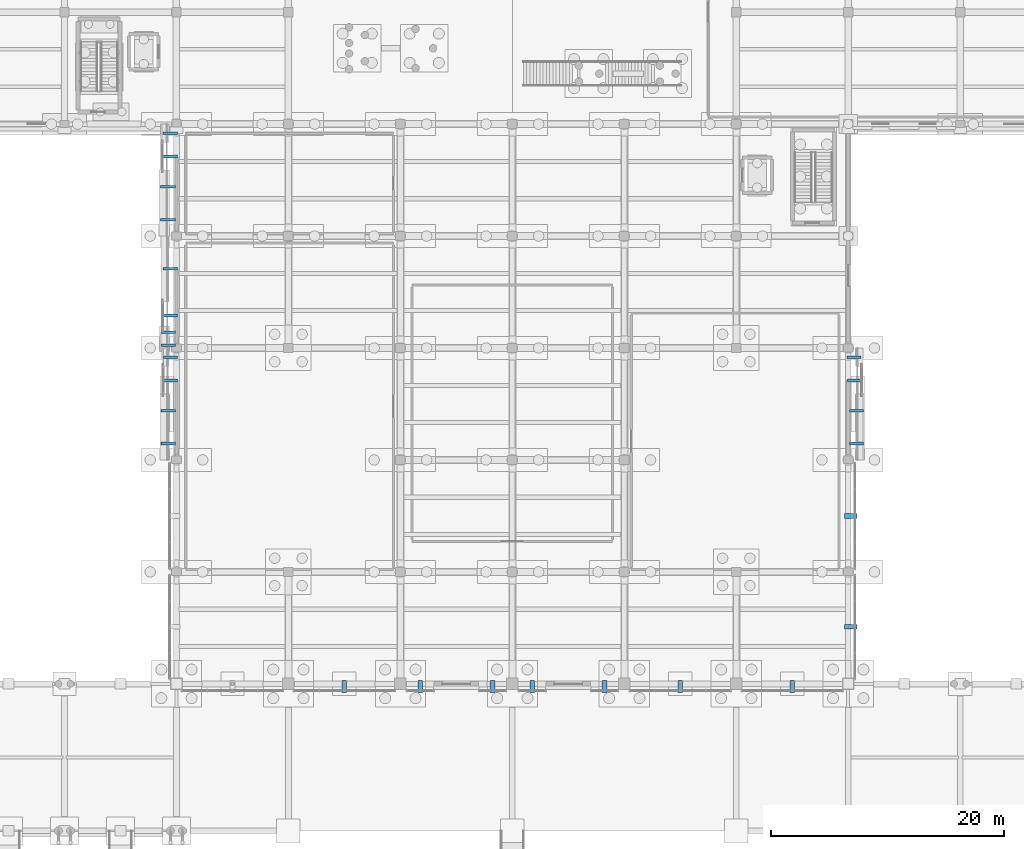
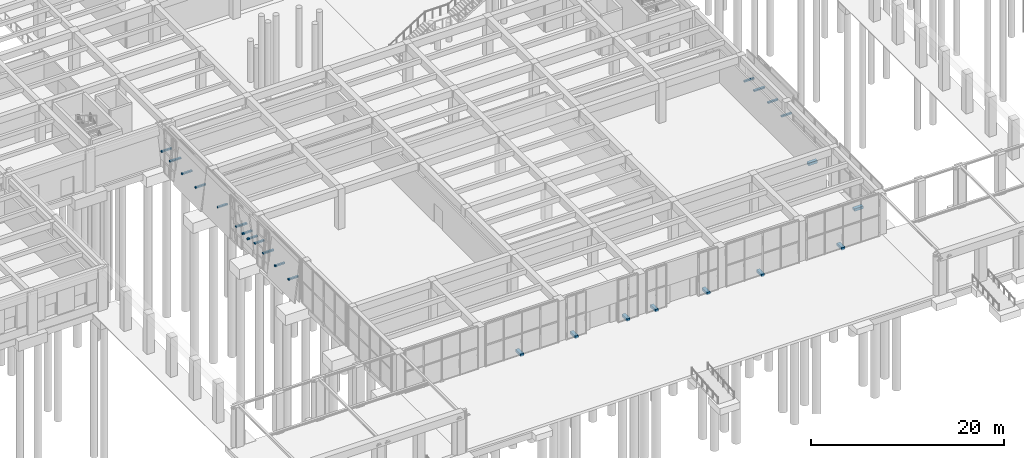
# One storey, part 39 of 51: 25 discrete accessories.
"""IFC4 building model written with IfcOpenShell, lengths in metres."""

from ifc_helpers import new_model, si_unit, direction, frame, origin, origin_2d, place, context, subcontext, project, spatial, rectangle, extrude, material, layer, layer_set, type_object, element, save


model = new_model("IFC4")

# Units and contexts
model_context = context("Model", 3, precision=1e-05, world=origin(), true_north=direction((0.0, 1.0)))
body_context = subcontext(model_context, "Body", "Model", "MODEL_VIEW")
ifc_project = project(units=[si_unit("LENGTHUNIT", "METRE"), si_unit("AREAUNIT", "SQUARE_METRE"), si_unit("VOLUMEUNIT", "CUBIC_METRE"), si_unit("PLANEANGLEUNIT", "RADIAN"), si_unit("MASSUNIT", "GRAM", prefix="KILO")], contexts=[model_context])

# Site, building, storey
site_placement = place(None, origin())
site = spatial("IfcSite", under=ifc_project, at=site_placement, CompositionType="ELEMENT")
building_placement = place(site_placement, origin())
building = spatial("IfcBuilding", under=site, at=building_placement, Name="Bempovik Park Faculty of Sciences", CompositionType="ELEMENT")
storey_placement = place(building_placement, origin())
storey = spatial("IfcBuildingStorey", under=building, at=storey_placement, Name="L00", CompositionType="ELEMENT", Elevation=0.0)

# Discrete accessories
ifc_material = material(Name="Steel S355", Category="steel")
ifc_layer = layer(ifc_material, 0.14990234375)
ifc_layer_set = layer_set([ifc_layer], Name="Steel S355")
discrete_accessory_type = type_object("IfcDiscreteAccessoryType", Name="BK-01 Facade Support Bracket", PredefinedType="BRACKET", material=ifc_layer_set)
for number, where, z_axis, x_axis, name in (
    (1, (117.820068359375, 24.6875, -0.1201171875), (0.0, 0.0, 1.0), (1.0, 0.0, 0.0), "Glazed Base Tie Bracket L00-1176-198"),
    (2, (117.820068359375, 34.199951171875, -0.1201171875), (0.0, 0.0, 1.0), (1.0, 0.0, 0.0), "Glazed Base Tie Bracket L00-1176-294"),
):
    element("IfcDiscreteAccessory", number, at=place(storey_placement, frame(where, z_axis=z_axis, x_axis=x_axis)), inside=storey, type_object=discrete_accessory_type, Name=name, PredefinedType="BRACKET", context=body_context, shape_type="SweptSolid", body=[
        extrude(rectangle(XDim=1.050048828125, YDim=0.39990234375, at=origin_2d()), origin(), (0.0, 0.0, 1.0), 0.320068359375),
    ])
discrete_accessory_1_placement = place(storey_placement, frame((118.102294921875, 47.802490234375, 2.0498046875), z_axis=(0.0, 0.0, 1.0), x_axis=(1.0, 0.0, 0.0)))
element("IfcDiscreteAccessory", 3, at=discrete_accessory_1_placement, inside=storey, type_object=discrete_accessory_type, Name="Crystal Cladding Support Bracket FAC-CRYS-L00-1176-390-BKR", PredefinedType="BRACKET", context=body_context, shape_type="SweptSolid", body=[
    extrude(rectangle(XDim=1.184326171875, YDim=0.219970703125, at=origin_2d()), origin(), (0.0, 0.0, 1.0), 0.179931640625),
])
for number, where, z_axis, x_axis, name in (
    (4, (118.30224609375, 40.4111328125, 2.0498046875), (0.0, 0.0, 1.0), (1.0, 0.0, 0.0), "Crystal Cladding Support Bracket FAC-CRYS-L00-1176-390-BK1"),
    (5, (118.30224609375, 43.23388671875, 2.0498046875), (0.0, 0.0, 1.0), (1.0, 0.0, 0.0), "Crystal Cladding Support Bracket FAC-CRYS-L00-1176-390-BK2"),
):
    element("IfcDiscreteAccessory", number, at=place(storey_placement, frame(where, z_axis=z_axis, x_axis=x_axis)), inside=storey, type_object=discrete_accessory_type, Name=name, PredefinedType="BRACKET", context=body_context, shape_type="SweptSolid", body=[
        extrude(rectangle(XDim=1.204345703125, YDim=0.219970703125, at=origin_2d()), origin(), (0.0, 0.0, 1.0), 0.179931640625),
    ])
discrete_accessory_2_placement = place(storey_placement, frame((118.172119140625, 45.824951171875, 2.0498046875), z_axis=(0.0, 0.0, 1.0), x_axis=(1.0, 0.0, 0.0)))
element("IfcDiscreteAccessory", 6, at=discrete_accessory_2_placement, inside=storey, type_object=discrete_accessory_type, Name="Crystal Fold Tie Bracket FAC-CRYS-L00-1176-390-BKF", PredefinedType="BRACKET", context=body_context, shape_type="SweptSolid", body=[
    extrude(rectangle(XDim=1.304443359375, YDim=0.239990234375, at=origin_2d()), origin(), (0.0, 0.0, 1.0), 0.179931640625),
])
for number, where, z_axis, x_axis, name in (
    (7, (74.39990234375, 19.580078125, -0.1201171875), (0.0, 0.0, 1.0), (1.0, 0.0, 0.0), "Glazed Base Tie Bracket L00-198-696"),
    (8, (80.90087890625, 19.580078125, -0.1201171875), (0.0, 0.0, 1.0), (1.0, 0.0, 0.0), "Portal Glazing Tie Bracket 792L"),
    (9, (87.09912109375, 19.580078125, -0.1201171875), (0.0, 0.0, 1.0), (1.0, 0.0, 0.0), "Portal Glazing Tie Bracket 792R"),
    (10, (90.5009765625, 19.580078125, -0.1201171875), (0.0, 0.0, 1.0), (1.0, 0.0, 0.0), "Portal Glazing Tie Bracket 888L"),
    (11, (96.698974609375, 19.580078125, -0.1201171875), (0.0, 0.0, 1.0), (1.0, 0.0, 0.0), "Portal Glazing Tie Bracket 888R"),
    (12, (103.199951171875, 19.580078125, -0.1201171875), (0.0, 0.0, 1.0), (1.0, 0.0, 0.0), "Glazed Base Tie Bracket L00-198-984"),
    (13, (112.800048828125, 19.580078125, -0.1201171875), (0.0, 0.0, 1.0), (1.0, 0.0, 0.0), "Glazed Base Tie Bracket L00-198-1080"),
):
    element("IfcDiscreteAccessory", number, at=place(storey_placement, frame(where, z_axis=z_axis, x_axis=x_axis)), inside=storey, type_object=discrete_accessory_type, Name=name, PredefinedType="BRACKET", context=body_context, shape_type="SweptSolid", body=[
        extrude(rectangle(XDim=0.39990234375, YDim=1.050048828125, at=origin_2d()), origin(), (0.0, 0.0, 1.0), 0.320068359375),
    ])
discrete_accessory_3_placement = place(storey_placement, frame((59.497802734375, 47.802490234375, 2.0498046875), z_axis=(0.0, 0.0, 1.0), x_axis=(1.0, 0.0, 0.0)))
element("IfcDiscreteAccessory", 14, at=discrete_accessory_3_placement, inside=storey, type_object=discrete_accessory_type, Name="Crystal Cladding Support Bracket FAC-CRYS-L00-600-390-BKR", PredefinedType="BRACKET", context=body_context, shape_type="SweptSolid", body=[
    extrude(rectangle(XDim=1.184326171875, YDim=0.219970703125, at=origin_2d()), origin(), (0.0, 0.0, 1.0), 0.179931640625),
])
for number, where, z_axis, x_axis, name in (
    (15, (59.2978515625, 40.4111328125, 2.0498046875), (0.0, 0.0, 1.0), (1.0, 0.0, 0.0), "Crystal Cladding Support Bracket FAC-CRYS-L00-600-390-BK1"),
    (16, (59.2978515625, 43.23388671875, 2.0498046875), (0.0, 0.0, 1.0), (1.0, 0.0, 0.0), "Crystal Cladding Support Bracket FAC-CRYS-L00-600-390-BK2"),
):
    element("IfcDiscreteAccessory", number, at=place(storey_placement, frame(where, z_axis=z_axis, x_axis=x_axis)), inside=storey, type_object=discrete_accessory_type, Name=name, PredefinedType="BRACKET", context=body_context, shape_type="SweptSolid", body=[
        extrude(rectangle(XDim=1.204345703125, YDim=0.219970703125, at=origin_2d()), origin(), (0.0, 0.0, 1.0), 0.179931640625),
    ])
discrete_accessory_4_placement = place(storey_placement, frame((59.427734375, 45.824951171875, 2.0498046875), z_axis=(0.0, 0.0, 1.0), x_axis=(1.0, 0.0, 0.0)))
element("IfcDiscreteAccessory", 17, at=discrete_accessory_4_placement, inside=storey, type_object=discrete_accessory_type, Name="Crystal Fold Tie Bracket FAC-CRYS-L00-600-390-BKF", PredefinedType="BRACKET", context=body_context, shape_type="SweptSolid", body=[
    extrude(rectangle(XDim=1.304443359375, YDim=0.239990234375, at=origin_2d()), origin(), (0.0, 0.0, 1.0), 0.179931640625),
])
discrete_accessory_5_placement = place(storey_placement, frame((59.478759765625, 55.37744140625, 2.0498046875), z_axis=(0.0, 0.0, 1.0), x_axis=(1.0, 0.0, 0.0)))
element("IfcDiscreteAccessory", 18, at=discrete_accessory_5_placement, inside=storey, type_object=discrete_accessory_type, Name="Crystal Cladding Support Bracket FAC-CRYS-L00-600-486-BKR", PredefinedType="BRACKET", context=body_context, shape_type="SweptSolid", body=[
    extrude(rectangle(XDim=1.222412109375, YDim=0.219970703125, at=origin_2d()), origin(), (0.0, 0.0, 1.0), 0.179931640625),
])
for number, where, z_axis, x_axis, name in (
    (19, (59.27880859375, 48.847412109375, 2.0498046875), (0.0, 0.0, 1.0), (1.0, 0.0, 0.0), "Crystal Cladding Support Bracket FAC-CRYS-L00-600-486-BK1"),
    (20, (59.27880859375, 49.947509765625, 2.0498046875), (0.0, 0.0, 1.0), (1.0, 0.0, 0.0), "Crystal Cladding Support Bracket FAC-CRYS-L00-600-486-BK2"),
):
    element("IfcDiscreteAccessory", number, at=place(storey_placement, frame(where, z_axis=z_axis, x_axis=x_axis)), inside=storey, type_object=discrete_accessory_type, Name=name, PredefinedType="BRACKET", context=body_context, shape_type="SweptSolid", body=[
        extrude(rectangle(XDim=1.242431640625, YDim=0.219970703125, at=origin_2d()), origin(), (0.0, 0.0, 1.0), 0.179931640625),
    ])
discrete_accessory_6_placement = place(storey_placement, frame((59.40869140625, 51.375, 2.0498046875), z_axis=(0.0, 0.0, 1.0), x_axis=(1.0, 0.0, 0.0)))
element("IfcDiscreteAccessory", 21, at=discrete_accessory_6_placement, inside=storey, type_object=discrete_accessory_type, Name="Crystal Fold Tie Bracket FAC-CRYS-L00-600-486-BKF", PredefinedType="BRACKET", context=body_context, shape_type="SweptSolid", body=[
    extrude(rectangle(XDim=1.34228515625, YDim=0.239990234375, at=origin_2d()), origin(), (0.0, 0.0, 1.0), 0.179931640625),
])
discrete_accessory_7_placement = place(storey_placement, frame((59.46923828125, 67.00244140625, 2.0498046875), z_axis=(0.0, 0.0, 1.0), x_axis=(1.0, 0.0, 0.0)))
element("IfcDiscreteAccessory", 22, at=discrete_accessory_7_placement, inside=storey, type_object=discrete_accessory_type, Name="Crystal Cladding Support Bracket FAC-CRYS-L00-600-582-BKR", PredefinedType="BRACKET", context=body_context, shape_type="SweptSolid", body=[
    extrude(rectangle(XDim=1.2412109375, YDim=0.219970703125, at=origin_2d()), origin(), (0.0, 0.0, 1.0), 0.179931640625),
])
for number, where, z_axis, x_axis, name in (
    (23, (59.269287109375, 59.611083984375, 2.0498046875), (0.0, 0.0, 1.0), (1.0, 0.0, 0.0), "Crystal Cladding Support Bracket FAC-CRYS-L00-600-582-BK1"),
    (24, (59.269287109375, 62.433837890625, 2.0498046875), (0.0, 0.0, 1.0), (1.0, 0.0, 0.0), "Crystal Cladding Support Bracket FAC-CRYS-L00-600-582-BK2"),
):
    element("IfcDiscreteAccessory", number, at=place(storey_placement, frame(where, z_axis=z_axis, x_axis=x_axis)), inside=storey, type_object=discrete_accessory_type, Name=name, PredefinedType="BRACKET", context=body_context, shape_type="SweptSolid", body=[
        extrude(rectangle(XDim=1.26123046875, YDim=0.219970703125, at=origin_2d()), origin(), (0.0, 0.0, 1.0), 0.179931640625),
    ])
discrete_accessory_8_placement = place(storey_placement, frame((59.3994140625, 65.02490234375, 2.0498046875), z_axis=(0.0, 0.0, 1.0), x_axis=(1.0, 0.0, 0.0)))
element("IfcDiscreteAccessory", 25, at=discrete_accessory_8_placement, inside=storey, type_object=discrete_accessory_type, Name="Crystal Fold Tie Bracket FAC-CRYS-L00-600-582-BKF", PredefinedType="BRACKET", context=body_context, shape_type="SweptSolid", body=[
    extrude(rectangle(XDim=1.361328125, YDim=0.239990234375, at=origin_2d()), origin(), (0.0, 0.0, 1.0), 0.179931640625),
])

save(model, "model.ifc")
